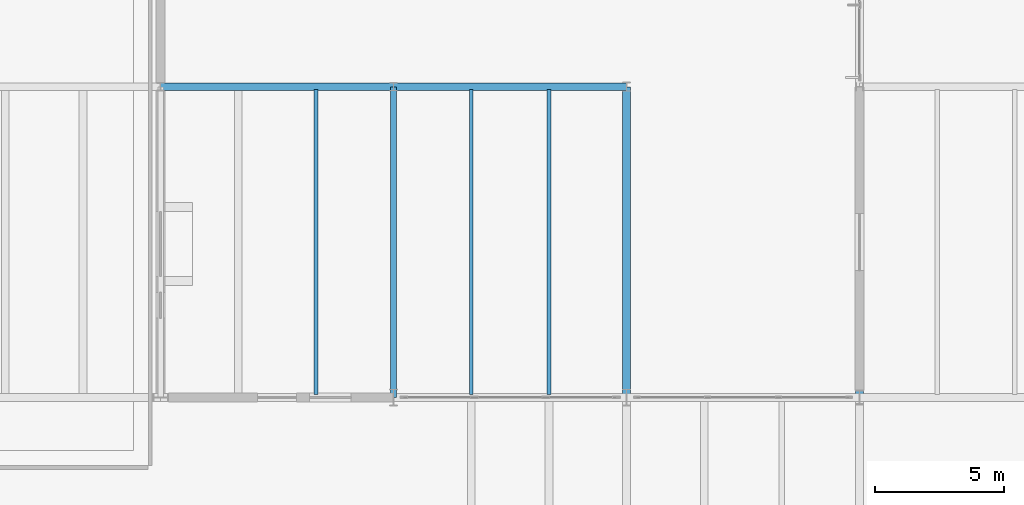
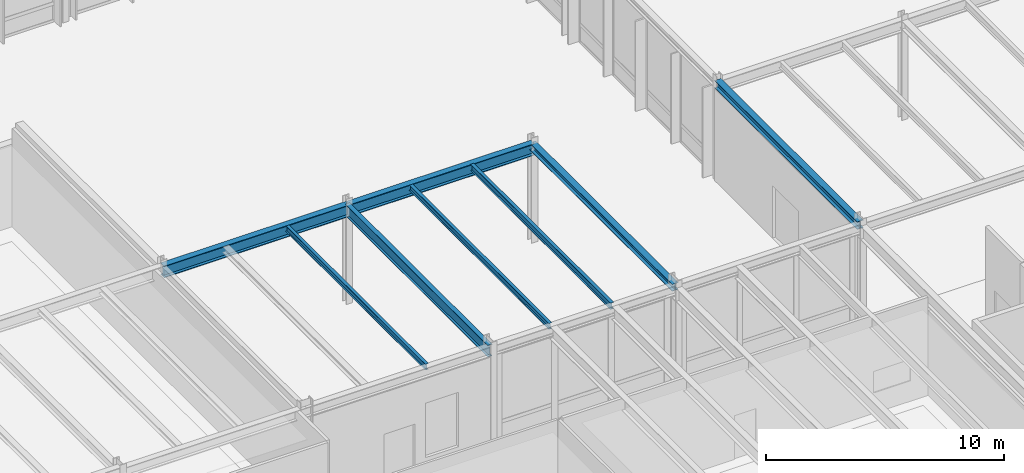
# One storey, part 28 of 143: 8 beams.
"""IFC4 building model written with IfcOpenShell, lengths in metres."""

from ifc_helpers import new_model, si_unit, direction, frame, origin, origin_2d, place, context, subcontext, project, spatial, i_section, extrude, material, material_profile, profile_set, type_object, element, save


model = new_model("IFC4")

# Units and contexts
model_context = context("Model", 3, precision=1e-05, world=origin(), true_north=direction((0.0, 1.0)))
body_context = subcontext(model_context, "Body", "Model", "MODEL_VIEW")
ifc_project = project(units=[si_unit("LENGTHUNIT", "METRE"), si_unit("AREAUNIT", "SQUARE_METRE"), si_unit("VOLUMEUNIT", "CUBIC_METRE"), si_unit("PLANEANGLEUNIT", "RADIAN"), si_unit("MASSUNIT", "GRAM", prefix="KILO")], contexts=[model_context])

# Site, building, storey
site_placement = place(None, origin())
site = spatial("IfcSite", under=ifc_project, at=site_placement, CompositionType="ELEMENT")
building_placement = place(site_placement, origin())
building = spatial("IfcBuilding", under=site, at=building_placement, Name="Montelvaro Courts of Justice", CompositionType="ELEMENT")
storey_placement = place(building_placement, origin())
storey = spatial("IfcBuildingStorey", under=building, at=storey_placement, Name="L00", CompositionType="ELEMENT", Elevation=0.0)

# Beams
ifc_material = material(Name="Steel S355", Category="steel")
ifc_material_profile_1 = material_profile(ifc_material, i_section(OverallWidth=0.300048828125, OverallDepth=0.35009765625, WebThickness=0.010009765625, FlangeThickness=0.017578125, at=origin_2d()), Name="HEA 360")
ifc_profile_set_1 = profile_set([ifc_material_profile_1], Name="Steel S355")
beam_type_1 = type_object("IfcBeamType", Name="Beam_HEA360", PredefinedType="USERDEFINED", material=ifc_profile_set_1)
beam_1_placement = place(storey_placement, frame((45.0, 42.0, 4.885009765625), z_axis=(0.0, 1.0, 0.0), x_axis=(-1.0, 0.0, 0.0)))
element("IfcBeam", 1, at=beam_1_placement, inside=storey, type_object=beam_type_1, Name="Beam B-16 L00", ObjectType="GIRDER", PredefinedType="USERDEFINED", context=body_context, shape_type="SweptSolid", body=[
    extrude(i_section(OverallWidth=0.300048828125, OverallDepth=0.35009765625, WebThickness=0.010009765625, FlangeThickness=0.017578125, at=origin_2d()), origin(), (0.0, 0.0, 1.0), 12.0),
])
ifc_material_profile_2 = material_profile(ifc_material, i_section(OverallWidth=0.300048828125, OverallDepth=0.389892578125, WebThickness=0.010986328125, FlangeThickness=0.01904296875, at=origin_2d()), Name="HEA 400")
ifc_profile_set_2 = profile_set([ifc_material_profile_2], Name="Steel S355")
beam_type_2 = type_object("IfcBeamType", Name="Beam_HEA400", PredefinedType="USERDEFINED", material=ifc_profile_set_2)
beam_2_placement = place(storey_placement, frame((54.0, 42.0, 4.925048828125), z_axis=(0.0, 1.0, 0.0), x_axis=(-1.0, 0.0, 0.0)))
element("IfcBeam", 2, at=beam_2_placement, inside=storey, type_object=beam_type_2, Name="Beam B-17 L00", ObjectType="GIRDER", PredefinedType="USERDEFINED", context=body_context, shape_type="SweptSolid", body=[
    extrude(i_section(OverallWidth=0.300048828125, OverallDepth=0.389892578125, WebThickness=0.010986328125, FlangeThickness=0.01904296875, at=origin_2d()), origin(), (0.0, 0.0, 1.0), 12.0),
])
ifc_material_profile_3 = material_profile(ifc_material, i_section(OverallWidth=0.300048828125, OverallDepth=0.60009765625, WebThickness=0.015380859375, FlangeThickness=0.030029296875, at=origin_2d()), Name="HEB 600")
ifc_profile_set_3 = profile_set([ifc_material_profile_3], Name="Steel S355")
beam_type_3 = type_object("IfcBeamType", Name="Beam_HEB600", PredefinedType="USERDEFINED", material=ifc_profile_set_3)
for number, where, z_axis, x_axis, name in (
    (3, (27.0, 54.0, 4.760009765625), (1.0, 0.0, 0.0), (0.0, 1.0, 0.0), "Beam B-26 L00"),
    (4, (36.0, 54.0, 4.760009765625), (1.0, 0.0, 0.0), (0.0, 1.0, 0.0), "Beam B-26 L00"),
):
    element("IfcBeam", number, at=place(storey_placement, frame(where, z_axis=z_axis, x_axis=x_axis)), inside=storey, type_object=beam_type_3, Name=name, ObjectType="GIRDER", PredefinedType="USERDEFINED", context=body_context, shape_type="SweptSolid", body=[
        extrude(i_section(OverallWidth=0.300048828125, OverallDepth=0.60009765625, WebThickness=0.015380859375, FlangeThickness=0.030029296875, at=origin_2d()), origin(), (0.0, 0.0, 1.0), 9.0),
    ])
ifc_material_profile_4 = material_profile(ifc_material, i_section(OverallWidth=0.14990234375, OverallDepth=0.300048828125, WebThickness=0.007080078125, FlangeThickness=0.0107421875, at=origin_2d()), Name="IPE 300")
ifc_profile_set_4 = profile_set([ifc_material_profile_4], Name="Steel S355")
beam_type_4 = type_object("IfcBeamType", Name="Beam_IPE300", PredefinedType="BEAM", material=ifc_profile_set_4)
for number, where, z_axis, x_axis, name in (
    (5, (33.0, 42.110107421875, 4.909912109375), (0.0, 1.0, 0.0), (-1.0, 0.0, 0.0), "Beam B-05 L00"),
    (6, (39.0, 42.110107421875, 4.909912109375), (0.0, 1.0, 0.0), (-1.0, 0.0, 0.0), "Beam B-05 L00"),
):
    element("IfcBeam", number, at=place(storey_placement, frame(where, z_axis=z_axis, x_axis=x_axis)), inside=storey, type_object=beam_type_4, Name=name, PredefinedType="BEAM", context=body_context, shape_type="SweptSolid", body=[
        extrude(i_section(OverallWidth=0.14990234375, OverallDepth=0.300048828125, WebThickness=0.007080078125, FlangeThickness=0.0107421875, at=origin_2d()), origin(), (0.0, 0.0, 1.0), 11.77978515625),
    ])
ifc_material_profile_5 = material_profile(ifc_material, i_section(OverallWidth=0.159912109375, OverallDepth=0.330078125, WebThickness=0.007568359375, FlangeThickness=0.011474609375, at=origin_2d()), Name="IPE 330")
ifc_profile_set_5 = profile_set([ifc_material_profile_5], Name="Steel S355")
beam_type_5 = type_object("IfcBeamType", Name="Beam_IPE330", PredefinedType="BEAM", material=ifc_profile_set_5)
beam_3_placement = place(storey_placement, frame((42.0, 42.110107421875, 4.89501953125), z_axis=(0.0, 1.0, 0.0), x_axis=(-1.0, 0.0, 0.0)))
element("IfcBeam", 7, at=beam_3_placement, inside=storey, type_object=beam_type_5, Name="Beam B-06 L00", PredefinedType="BEAM", context=body_context, shape_type="SweptSolid", body=[
    extrude(i_section(OverallWidth=0.159912109375, OverallDepth=0.330078125, WebThickness=0.007568359375, FlangeThickness=0.011474609375, at=origin_2d()), origin(), (0.0, 0.0, 1.0), 11.77978515625),
])
ifc_material_profile_6 = material_profile(ifc_material, i_section(OverallWidth=0.219970703125, OverallDepth=0.60009765625, WebThickness=0.011962890625, FlangeThickness=0.01904296875, at=origin_2d()), Name="IPE 600")
ifc_profile_set_6 = profile_set([ifc_material_profile_6], Name="Steel S355")
beam_type_6 = type_object("IfcBeamType", Name="Beam_IPE600", PredefinedType="USERDEFINED", material=ifc_profile_set_6)
beam_4_placement = place(storey_placement, frame((36.0, 42.0, 4.760009765625), z_axis=(0.0, 1.0, 0.0), x_axis=(-1.0, 0.0, 0.0)))
element("IfcBeam", 8, at=beam_4_placement, inside=storey, type_object=beam_type_6, Name="Beam B-12 L00", ObjectType="GIRDER", PredefinedType="USERDEFINED", context=body_context, shape_type="SweptSolid", body=[
    extrude(i_section(OverallWidth=0.219970703125, OverallDepth=0.60009765625, WebThickness=0.011962890625, FlangeThickness=0.01904296875, at=origin_2d()), origin(), (0.0, 0.0, 1.0), 12.0),
])

save(model, "model.ifc")
